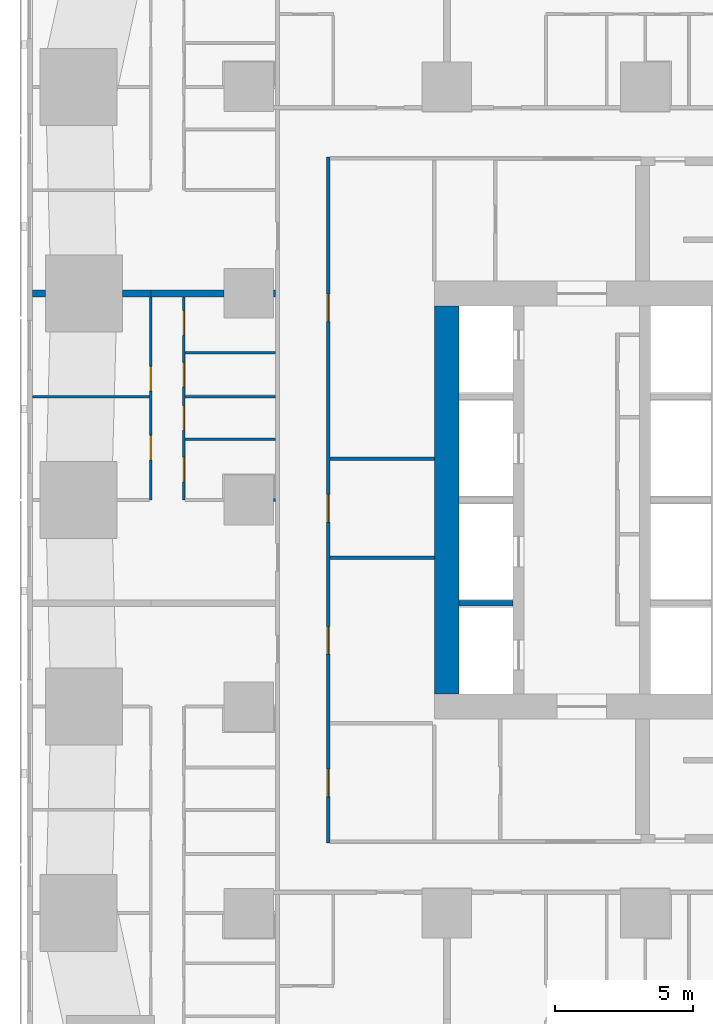
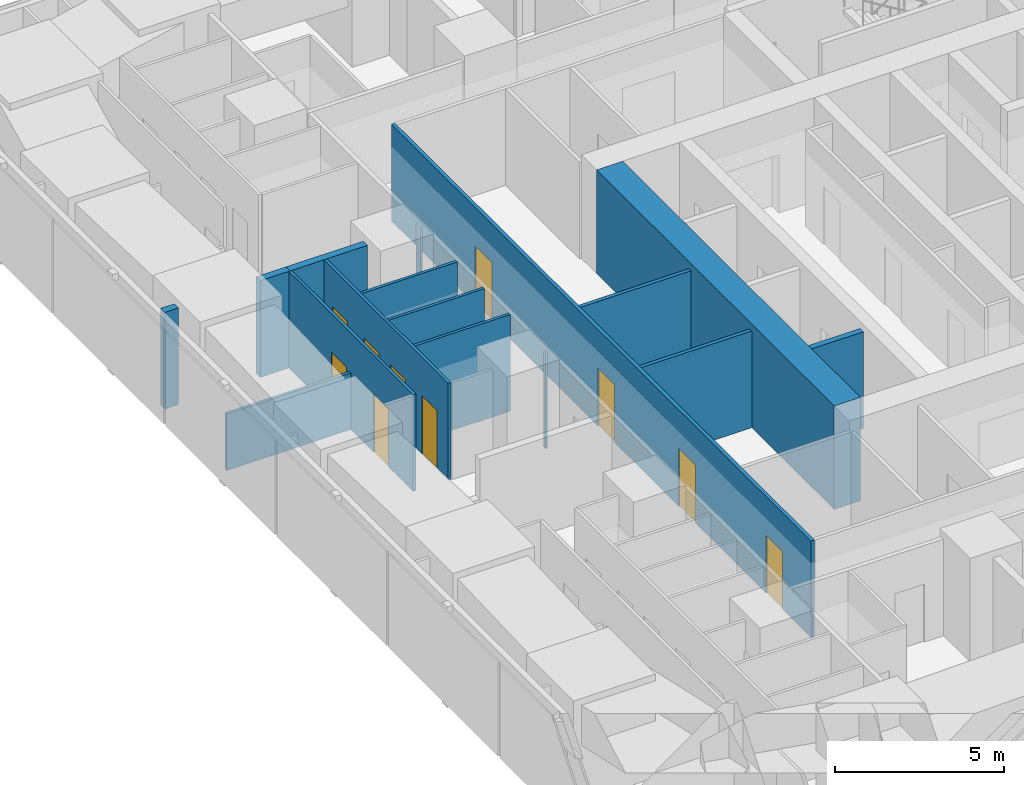
# One storey, part 7 of 18: 16 walls, 10 doors, 10 openings.
"""IFC4 building model written with IfcOpenShell, lengths in metres."""

from ifc_helpers import new_model, si_unit, direction, frame, frame_2d, origin, place, context, subcontext, project, spatial, rectangle, extrude, material, layer, layer_set, type_object, element, fill, save


model = new_model("IFC4")

# Units and contexts
model_context = context("Model", 3, precision=1e-05, world=origin(), true_north=direction((0.0, 1.0)))
body_context = subcontext(model_context, "Body", "Model", "MODEL_VIEW")
ifc_project = project(units=[si_unit("LENGTHUNIT", "METRE"), si_unit("AREAUNIT", "SQUARE_METRE"), si_unit("VOLUMEUNIT", "CUBIC_METRE"), si_unit("PLANEANGLEUNIT", "RADIAN"), si_unit("MASSUNIT", "GRAM", prefix="KILO")], contexts=[model_context])

# Site, building, storey
site_placement = place(None, origin())
site = spatial("IfcSite", under=ifc_project, at=site_placement, CompositionType="ELEMENT")
building_placement = place(site_placement, origin())
building = spatial("IfcBuilding", under=site, at=building_placement, Name="Sheger Commons Tower", CompositionType="ELEMENT")
storey_placement = place(building_placement, frame((0.0, 0.0, 31.25)))
storey = spatial("IfcBuildingStorey", under=building, at=storey_placement, Name="L07", CompositionType="ELEMENT", Elevation=31.25)

# Walls
ifc_material_1 = material(Name="Concrete C50/60", Category="concrete")
ifc_layer_1 = layer(ifc_material_1, 0.89990234375)
ifc_layer_set_1 = layer_set([ifc_layer_1], Name="CORE WALL 900")
wall_type_1 = type_object("IfcWallType", Name="CORE WALL 900", PredefinedType="SHEAR", material=ifc_layer_set_1)
wall_1_placement = place(storey_placement, frame((14.39990234375, 15.449951171875, 0.0), z_axis=(0.0, 0.0, 1.0), x_axis=(0.0, 1.0, 0.0)))
element("IfcWall", 1, at=wall_1_placement, inside=storey, type_object=wall_type_1, Name="Core wall west L07", PredefinedType="SHEAR", context=body_context, shape_type="SweptSolid", body=[
    extrude(rectangle(XDim=14.10009765625, YDim=0.89990234375, at=frame_2d((7.050048828125, 0.0))), origin(), (0.0, 0.0, 1.0), 3.75),
])
ifc_material_2 = material(Name="Dense concrete block masonry, plastered both sides (separating wall between flats)", Category="masonry")
ifc_layer_2 = layer(ifc_material_2, 0.25)
ifc_layer_set_2 = layer_set([ifc_layer_2], Name="DEMISING WALL 250")
wall_type_2 = type_object("IfcWallType", Name="DEMISING WALL 250", PredefinedType="SOLIDWALL", material=ifc_layer_set_2)
wall_2_placement = place(storey_placement, frame((-0.64990234375, 30.0, 0.0), z_axis=(0.0, 0.0, 1.0), x_axis=(1.0, 0.0, 0.0)))
element("IfcWall", 2, at=wall_2_placement, inside=storey, type_object=wall_type_2, Name="Demising wall L07", PredefinedType="SOLIDWALL", context=body_context, shape_type="SweptSolid", body=[
    extrude(rectangle(XDim=0.473876953125, YDim=0.25, at=frame_2d((0.23681640625, 0.0))), origin(), (0.0, 0.0, 1.0), 3.5),
])
wall_3_placement = place(storey_placement, frame((2.6259765625, 30.0, 0.0), z_axis=(0.0, 0.0, 1.0), x_axis=(1.0, 0.0, 0.0)))
element("IfcWall", 3, at=wall_3_placement, inside=storey, type_object=wall_type_2, Name="Demising wall L07", PredefinedType="SOLIDWALL", context=body_context, shape_type="SweptSolid", body=[
    extrude(rectangle(XDim=1.02392578125, YDim=0.25, at=frame_2d((0.511962890625, 0.0))), origin(), (0.0, 0.0, 1.0), 3.5),
])
wall_4_placement = place(storey_placement, frame((3.64990234375, 30.0, 0.0), z_axis=(0.0, 0.0, 1.0), x_axis=(1.0, 0.0, 0.0)))
element("IfcWall", 4, at=wall_4_placement, inside=storey, type_object=wall_type_2, Name="Demising wall L07", PredefinedType="SOLIDWALL", context=body_context, shape_type="SweptSolid", body=[
    extrude(rectangle(XDim=2.649169921875, YDim=0.25, at=frame_2d((1.32470703125, 0.0))), origin(), (0.0, 0.0, 1.0), 3.5),
])
wall_5_placement = place(storey_placement, frame((8.10107421875, 30.0, 0.0), z_axis=(0.0, 0.0, 1.0), x_axis=(1.0, 0.0, 0.0)))
element("IfcWall", 5, at=wall_5_placement, inside=storey, type_object=wall_type_2, Name="Demising wall L07", PredefinedType="SOLIDWALL", context=body_context, shape_type="SweptSolid", body=[
    extrude(rectangle(XDim=0.073974609375, YDim=0.25, at=frame_2d((0.037109375, 0.0))), origin(), (0.0, 0.0, 1.0), 3.5),
])

# Wall, openings, doors
ifc_material_3 = material(Name="Gypsum board on steel studs", Category="steel")
ifc_layer_3 = layer(ifc_material_3, 0.10009765625)
ifc_layer_set_3 = layer_set([ifc_layer_3], Name="PARTITION 100")
wall_type_3 = type_object("IfcWallType", Name="PARTITION 100", PredefinedType="PARTITIONING", material=ifc_layer_set_3)
wall_6_placement = place(storey_placement, frame((3.64990234375, 22.5, 0.0), z_axis=(0.0, 0.0, 1.0), x_axis=(0.0, 1.0, 0.0)))
wall_6 = element("IfcWall", 6, at=wall_6_placement, inside=storey, type_object=wall_type_3, Name="Partition L07", PredefinedType="PARTITIONING", context=body_context, shape_type="SweptSolid", body=[
    extrude(rectangle(XDim=7.375, YDim=0.10009765625, at=frame_2d((3.6875, 0.0))), origin(), (0.0, 0.0, 1.0), 3.5),
])
opening_1_placement = place(wall_6_placement, frame((1.449951171875, 0.0, 0.0)))
opening_1 = element("IfcOpeningElement", 7, at=opening_1_placement, cuts=wall_6, Name="Opening D2", PredefinedType="OPENING", context=body_context, shape_type="SweptSolid", body=[
    extrude(rectangle(XDim=0.89990234375, YDim=2.10009765625, at=frame_2d((0.449951171875, 1.050048828125))), frame((0.0, 0.06005859375, 0.0), z_axis=(0.0, -1.0, 0.0), x_axis=(1.0, 0.0, 0.0)), (0.0, 0.0, 1.0), 0.1201171875),
])
opening_2_placement = place(wall_6_placement, frame((3.949951171875, 0.0, 0.0)))
opening_2 = element("IfcOpeningElement", 8, at=opening_2_placement, cuts=wall_6, Name="Opening D2", PredefinedType="OPENING", context=body_context, shape_type="SweptSolid", body=[
    extrude(rectangle(XDim=0.89990234375, YDim=2.10009765625, at=frame_2d((0.449951171875, 1.050048828125))), frame((0.0, 0.06005859375, 0.0), z_axis=(0.0, -1.0, 0.0), x_axis=(1.0, 0.0, 0.0)), (0.0, 0.0, 1.0), 0.1201171875),
])
ifc_material_4 = material(Name="Timber door set", Category="wood")
door_type_1 = type_object("IfcDoorType", Name="INTERNAL DOOR 900x2100", OperationType="NOTDEFINED", PredefinedType="DOOR", material=ifc_material_4)
door_1_placement = place(opening_1_placement, origin())
door_1 = element("IfcDoor", 9, at=door_1_placement, inside=storey, type_object=door_type_1, Name="Main bedroom door", OperationType="SINGLE_SWING_LEFT", OverallHeight=2.10009765625, OverallWidth=0.89990234375, PredefinedType="DOOR", context=body_context, shape_type="SweptSolid", body=[
    extrude(rectangle(XDim=0.89990234375, YDim=2.10009765625, at=frame_2d((0.449951171875, 1.050048828125))), frame((0.0, 0.02490234375, 0.0), z_axis=(0.0, -1.0, 0.0), x_axis=(1.0, 0.0, 0.0)), (0.0, 0.0, 1.0), 0.050048828125),
])
fill(opening_1, door_1)
door_2_placement = place(opening_2_placement, origin())
door_2 = element("IfcDoor", 10, at=door_2_placement, inside=storey, type_object=door_type_1, Name="Bedroom 2 door", OperationType="SINGLE_SWING_LEFT", OverallHeight=2.10009765625, OverallWidth=0.89990234375, PredefinedType="DOOR", context=body_context, shape_type="SweptSolid", body=[
    extrude(rectangle(XDim=0.89990234375, YDim=2.10009765625, at=frame_2d((0.449951171875, 1.050048828125))), frame((0.0, 0.02490234375, 0.0), z_axis=(0.0, -1.0, 0.0), x_axis=(1.0, 0.0, 0.0)), (0.0, 0.0, 1.0), 0.050048828125),
])
fill(opening_2, door_2)

wall_7_placement = place(storey_placement, frame((4.85009765625, 22.5, 0.0), z_axis=(0.0, 0.0, 1.0), x_axis=(0.0, 1.0, 0.0)))
wall_7 = element("IfcWall", 11, at=wall_7_placement, inside=storey, type_object=wall_type_3, Name="Partition L07", PredefinedType="PARTITIONING", context=body_context, shape_type="SweptSolid", body=[
    extrude(rectangle(XDim=7.375, YDim=0.10009765625, at=frame_2d((3.6875, 0.0))), origin(), (0.0, 0.0, 1.0), 3.5),
])
opening_3_placement = place(wall_7_placement, frame((0.655029296875, 0.0, 0.0)))
opening_3 = element("IfcOpeningElement", 12, at=opening_3_placement, cuts=wall_7, Name="Opening D2", PredefinedType="OPENING", context=body_context, shape_type="SweptSolid", body=[
    extrude(rectangle(XDim=0.89990234375, YDim=2.10009765625, at=frame_2d((0.449951171875, 1.050048828125))), frame((0.0, 0.06005859375, 0.0), z_axis=(0.0, -1.0, 0.0), x_axis=(1.0, 0.0, 0.0)), (0.0, 0.0, 1.0), 0.1201171875),
])
opening_4_placement = place(wall_7_placement, frame((4.10009765625, 0.0, 0.0)))
opening_4 = element("IfcOpeningElement", 13, at=opening_4_placement, cuts=wall_7, Name="Opening D2", PredefinedType="OPENING", context=body_context, shape_type="SweptSolid", body=[
    extrude(rectangle(XDim=0.89990234375, YDim=2.10009765625, at=frame_2d((0.449951171875, 1.050048828125))), frame((0.0, 0.06005859375, 0.0), z_axis=(0.0, -1.0, 0.0), x_axis=(1.0, 0.0, 0.0)), (0.0, 0.0, 1.0), 0.1201171875),
])
opening_5_placement = place(wall_7_placement, frame((2.530029296875, 0.0, 0.0)))
opening_5 = element("IfcOpeningElement", 14, at=opening_5_placement, cuts=wall_7, Name="Opening D2", PredefinedType="OPENING", context=body_context, shape_type="SweptSolid", body=[
    extrude(rectangle(XDim=0.89990234375, YDim=2.10009765625, at=frame_2d((0.449951171875, 1.050048828125))), frame((0.0, 0.06005859375, 0.0), z_axis=(0.0, -1.0, 0.0), x_axis=(1.0, 0.0, 0.0)), (0.0, 0.0, 1.0), 0.1201171875),
])
opening_6_placement = place(wall_7_placement, frame((5.97509765625, 0.0, 0.0)))
opening_6 = element("IfcOpeningElement", 15, at=opening_6_placement, cuts=wall_7, Name="Opening D2", PredefinedType="OPENING", context=body_context, shape_type="SweptSolid", body=[
    extrude(rectangle(XDim=0.89990234375, YDim=2.10009765625, at=frame_2d((0.449951171875, 1.050048828125))), frame((0.0, 0.06005859375, 0.0), z_axis=(0.0, -1.0, 0.0), x_axis=(1.0, 0.0, 0.0)), (0.0, 0.0, 1.0), 0.1201171875),
])
door_3_placement = place(opening_3_placement, origin())
door_3 = element("IfcDoor", 16, at=door_3_placement, inside=storey, type_object=door_type_1, Name="Bathroom door", OperationType="SINGLE_SWING_RIGHT", OverallHeight=2.10009765625, OverallWidth=0.89990234375, PredefinedType="DOOR", context=body_context, shape_type="SweptSolid", body=[
    extrude(rectangle(XDim=0.89990234375, YDim=2.10009765625, at=frame_2d((0.449951171875, 1.050048828125))), frame((0.0, 0.02490234375, 0.0), z_axis=(0.0, -1.0, 0.0), x_axis=(1.0, 0.0, 0.0)), (0.0, 0.0, 1.0), 0.050048828125),
])
fill(opening_3, door_3)
door_4_placement = place(opening_4_placement, origin())
door_4 = element("IfcDoor", 17, at=door_4_placement, inside=storey, type_object=door_type_1, Name="Shower room door", OperationType="SINGLE_SWING_LEFT", OverallHeight=2.10009765625, OverallWidth=0.89990234375, PredefinedType="DOOR", context=body_context, shape_type="SweptSolid", body=[
    extrude(rectangle(XDim=0.89990234375, YDim=2.10009765625, at=frame_2d((0.449951171875, 1.050048828125))), frame((0.0, 0.02490234375, 0.0), z_axis=(0.0, -1.0, 0.0), x_axis=(1.0, 0.0, 0.0)), (0.0, 0.0, 1.0), 0.050048828125),
])
fill(opening_4, door_4)
door_5_placement = place(opening_5_placement, origin())
door_5 = element("IfcDoor", 18, at=door_5_placement, inside=storey, type_object=door_type_1, Name="Store door", OperationType="SINGLE_SWING_LEFT", OverallHeight=2.10009765625, OverallWidth=0.89990234375, PredefinedType="DOOR", context=body_context, shape_type="SweptSolid", body=[
    extrude(rectangle(XDim=0.89990234375, YDim=2.10009765625, at=frame_2d((0.449951171875, 1.050048828125))), frame((0.0, 0.02490234375, 0.0), z_axis=(0.0, -1.0, 0.0), x_axis=(1.0, 0.0, 0.0)), (0.0, 0.0, 1.0), 0.050048828125),
])
fill(opening_5, door_5)
door_6_placement = place(opening_6_placement, origin())
door_6 = element("IfcDoor", 19, at=door_6_placement, inside=storey, type_object=door_type_1, Name="Store door", OperationType="SINGLE_SWING_LEFT", OverallHeight=2.10009765625, OverallWidth=0.89990234375, PredefinedType="DOOR", context=body_context, shape_type="SweptSolid", body=[
    extrude(rectangle(XDim=0.89990234375, YDim=2.10009765625, at=frame_2d((0.449951171875, 1.050048828125))), frame((0.0, 0.02490234375, 0.0), z_axis=(0.0, -1.0, 0.0), x_axis=(1.0, 0.0, 0.0)), (0.0, 0.0, 1.0), 0.050048828125),
])
fill(opening_6, door_6)

# Walls
wall_8_placement = place(storey_placement, frame((-0.64990234375, 26.25, 0.0), z_axis=(0.0, 0.0, 1.0), x_axis=(1.0, 0.0, 0.0)))
element("IfcWall", 20, at=wall_8_placement, inside=storey, type_object=wall_type_3, Name="Partition L07", PredefinedType="PARTITIONING", context=body_context, shape_type="SweptSolid", body=[
    extrude(rectangle(XDim=4.25, YDim=0.10009765625, at=frame_2d((2.125, 0.0))), origin(), (0.0, 0.0, 1.0), 2.050048828125),
])
wall_9_placement = place(storey_placement, frame((8.10107421875, 22.5, 0.0), z_axis=(0.0, 0.0, 1.0), x_axis=(1.0, 0.0, 0.0)))
element("IfcWall", 21, at=wall_9_placement, inside=storey, type_object=wall_type_3, Name="Partition L07", PredefinedType="PARTITIONING", context=body_context, shape_type="SweptSolid", body=[
    extrude(rectangle(XDim=0.073974609375, YDim=0.10009765625, at=frame_2d((0.037109375, 0.0))), origin(), (0.0, 0.0, 1.0), 3.5),
])
for number, where, z_axis, x_axis, name in (
    (22, (4.89990234375, 26.25, 0.0), (0.0, 0.0, 1.0), (1.0, 0.0, 0.0), "Partition L07"),
    (23, (4.89990234375, 24.7099609375, 0.0), (0.0, 0.0, 1.0), (1.0, 0.0, 0.0), "Partition L07"),
    (24, (4.89990234375, 27.85009765625, 0.0), (0.0, 0.0, 1.0), (1.0, 0.0, 0.0), "Partition L07"),
):
    element("IfcWall", number, at=place(storey_placement, frame(where, z_axis=z_axis, x_axis=x_axis)), inside=storey, type_object=wall_type_3, Name=name, PredefinedType="PARTITIONING", context=body_context, shape_type="SweptSolid", body=[
        extrude(rectangle(XDim=3.275146484375, YDim=0.10009765625, at=frame_2d((1.6376953125, 0.0))), origin(), (0.0, 0.0, 1.0), 3.5),
    ])

# Wall, openings, doors
ifc_material_5 = material(Name="Gypsum board on steel studs, two layers each side, fire rated", Category="steel")
ifc_layer_4 = layer(ifc_material_5, 0.125)
ifc_layer_set_4 = layer_set([ifc_layer_4], Name="SERVICE WALL 125")
wall_type_4 = type_object("IfcWallType", Name="SERVICE WALL 125", PredefinedType="PARTITIONING", material=ifc_layer_set_4)
wall_10_placement = place(storey_placement, frame((10.10009765625, 10.050048828125, 0.0), z_axis=(0.0, 0.0, 1.0), x_axis=(0.0, 1.0, 0.0)))
wall_10 = element("IfcWall", 25, at=wall_10_placement, inside=storey, type_object=wall_type_4, Name="Service room wall L07", PredefinedType="PARTITIONING", context=body_context, shape_type="SweptSolid", body=[
    extrude(rectangle(XDim=24.89990234375, YDim=0.125, at=frame_2d((12.449951171875, 0.0))), origin(), (0.0, 0.0, 1.0), 3.5),
])
opening_7_placement = place(wall_10_placement, frame((1.675048828125, 0.0, 0.0)))
opening_7 = element("IfcOpeningElement", 26, at=opening_7_placement, cuts=wall_10, Name="Opening D4", PredefinedType="OPENING", context=body_context, shape_type="SweptSolid", body=[
    extrude(rectangle(XDim=1.0, YDim=2.10009765625, at=frame_2d((0.5, 1.050048828125))), frame((0.0, 0.072509765625, 0.0), z_axis=(0.0, -1.0, 0.0), x_axis=(1.0, 0.0, 0.0)), (0.0, 0.0, 1.0), 0.14501953125),
])
opening_8_placement = place(wall_10_placement, frame((6.85009765625, 0.0, 0.0)))
opening_8 = element("IfcOpeningElement", 27, at=opening_8_placement, cuts=wall_10, Name="Opening D4", PredefinedType="OPENING", context=body_context, shape_type="SweptSolid", body=[
    extrude(rectangle(XDim=1.0, YDim=2.10009765625, at=frame_2d((0.5, 1.050048828125))), frame((0.0, 0.072509765625, 0.0), z_axis=(0.0, -1.0, 0.0), x_axis=(1.0, 0.0, 0.0)), (0.0, 0.0, 1.0), 0.14501953125),
])
opening_9_placement = place(wall_10_placement, frame((11.64990234375, 0.0, 0.0)))
opening_9 = element("IfcOpeningElement", 28, at=opening_9_placement, cuts=wall_10, Name="Opening D4", PredefinedType="OPENING", context=body_context, shape_type="SweptSolid", body=[
    extrude(rectangle(XDim=1.0, YDim=2.10009765625, at=frame_2d((0.5, 1.050048828125))), frame((0.0, 0.072509765625, 0.0), z_axis=(0.0, -1.0, 0.0), x_axis=(1.0, 0.0, 0.0)), (0.0, 0.0, 1.0), 0.14501953125),
])
opening_10_placement = place(wall_10_placement, frame((18.925048828125, 0.0, 0.0)))
opening_10 = element("IfcOpeningElement", 29, at=opening_10_placement, cuts=wall_10, Name="Opening D4", PredefinedType="OPENING", context=body_context, shape_type="SweptSolid", body=[
    extrude(rectangle(XDim=1.0, YDim=2.10009765625, at=frame_2d((0.5, 1.050048828125))), frame((0.0, 0.072509765625, 0.0), z_axis=(0.0, -1.0, 0.0), x_axis=(1.0, 0.0, 0.0)), (0.0, 0.0, 1.0), 0.14501953125),
])
ifc_material_6 = material(Name="Steel door set, fire rated", Category="steel")
door_type_2 = type_object("IfcDoorType", Name="SERVICE DOOR 1000x2100", OperationType="NOTDEFINED", PredefinedType="DOOR", material=ifc_material_6)
door_7_placement = place(opening_7_placement, origin())
door_7 = element("IfcDoor", 30, at=door_7_placement, inside=storey, type_object=door_type_2, Name="Refuse chute room door", OperationType="SINGLE_SWING_RIGHT", OverallHeight=2.10009765625, OverallWidth=1.0, PredefinedType="DOOR", context=body_context, shape_type="SweptSolid", body=[
    extrude(rectangle(XDim=1.0, YDim=2.10009765625, at=frame_2d((0.5, 1.050048828125))), frame((0.0, 0.02490234375, 0.0), z_axis=(0.0, -1.0, 0.0), x_axis=(1.0, 0.0, 0.0)), (0.0, 0.0, 1.0), 0.050048828125),
])
fill(opening_7, door_7)
door_8_placement = place(opening_8_placement, origin())
door_8 = element("IfcDoor", 31, at=door_8_placement, inside=storey, type_object=door_type_2, Name="Parcel and delivery room door", OperationType="SINGLE_SWING_LEFT", OverallHeight=2.10009765625, OverallWidth=1.0, PredefinedType="DOOR", context=body_context, shape_type="SweptSolid", body=[
    extrude(rectangle(XDim=1.0, YDim=2.10009765625, at=frame_2d((0.5, 1.050048828125))), frame((0.0, 0.02490234375, 0.0), z_axis=(0.0, -1.0, 0.0), x_axis=(1.0, 0.0, 0.0)), (0.0, 0.0, 1.0), 0.050048828125),
])
fill(opening_8, door_8)
door_9_placement = place(opening_9_placement, origin())
door_9 = element("IfcDoor", 32, at=door_9_placement, inside=storey, type_object=door_type_2, Name="Cleaner's store door", OperationType="SINGLE_SWING_LEFT", OverallHeight=2.10009765625, OverallWidth=1.0, PredefinedType="DOOR", context=body_context, shape_type="SweptSolid", body=[
    extrude(rectangle(XDim=1.0, YDim=2.10009765625, at=frame_2d((0.5, 1.050048828125))), frame((0.0, 0.02490234375, 0.0), z_axis=(0.0, -1.0, 0.0), x_axis=(1.0, 0.0, 0.0)), (0.0, 0.0, 1.0), 0.050048828125),
])
fill(opening_9, door_9)
door_10_placement = place(opening_10_placement, origin())
door_10 = element("IfcDoor", 33, at=door_10_placement, inside=storey, type_object=door_type_2, Name="Residents' gym door", OperationType="SINGLE_SWING_LEFT", OverallHeight=2.10009765625, OverallWidth=1.0, PredefinedType="DOOR", context=body_context, shape_type="SweptSolid", body=[
    extrude(rectangle(XDim=1.0, YDim=2.10009765625, at=frame_2d((0.5, 1.050048828125))), frame((0.0, 0.02490234375, 0.0), z_axis=(0.0, -1.0, 0.0), x_axis=(1.0, 0.0, 0.0)), (0.0, 0.0, 1.0), 0.050048828125),
])
fill(opening_10, door_10)

# Walls
for number, where, z_axis, x_axis, name in (
    (34, (10.1630859375, 20.39990234375, 0.0), (0.0, 0.0, 1.0), (1.0, 0.0, 0.0), "Service room wall L07"),
    (35, (10.1630859375, 24.0, 0.0), (0.0, 0.0, 1.0), (1.0, 0.0, 0.0), "Service room wall L07"),
):
    element("IfcWall", number, at=place(storey_placement, frame(where, z_axis=z_axis, x_axis=x_axis)), inside=storey, type_object=wall_type_4, Name=name, PredefinedType="PARTITIONING", context=body_context, shape_type="SweptSolid", body=[
        extrude(rectangle(XDim=3.786865234375, YDim=0.125, at=frame_2d((1.8935546875, 0.0))), origin(), (0.0, 0.0, 1.0), 3.5),
    ])
ifc_material_7 = material(Name="Hollow concrete block masonry", Category="masonry")
ifc_layer_5 = layer(ifc_material_7, 0.199951171875)
ifc_layer_set_5 = layer_set([ifc_layer_5], Name="SHAFT WALL 200")
wall_type_5 = type_object("IfcWallType", Name="SHAFT WALL 200", PredefinedType="SOLIDWALL", material=ifc_layer_set_5)
wall_11_placement = place(storey_placement, frame((14.85009765625, 18.75, 0.0), z_axis=(0.0, 0.0, 1.0), x_axis=(1.0, 0.0, 0.0)))
element("IfcWall", 36, at=wall_11_placement, inside=storey, type_object=wall_type_5, Name="Lift shaft wall L07", PredefinedType="SOLIDWALL", context=body_context, shape_type="SweptSolid", body=[
    extrude(rectangle(XDim=1.949951171875, YDim=0.199951171875, at=frame_2d((0.97509765625, 0.0))), origin(), (0.0, 0.0, 1.0), 3.5),
])

save(model, "model.ifc")
